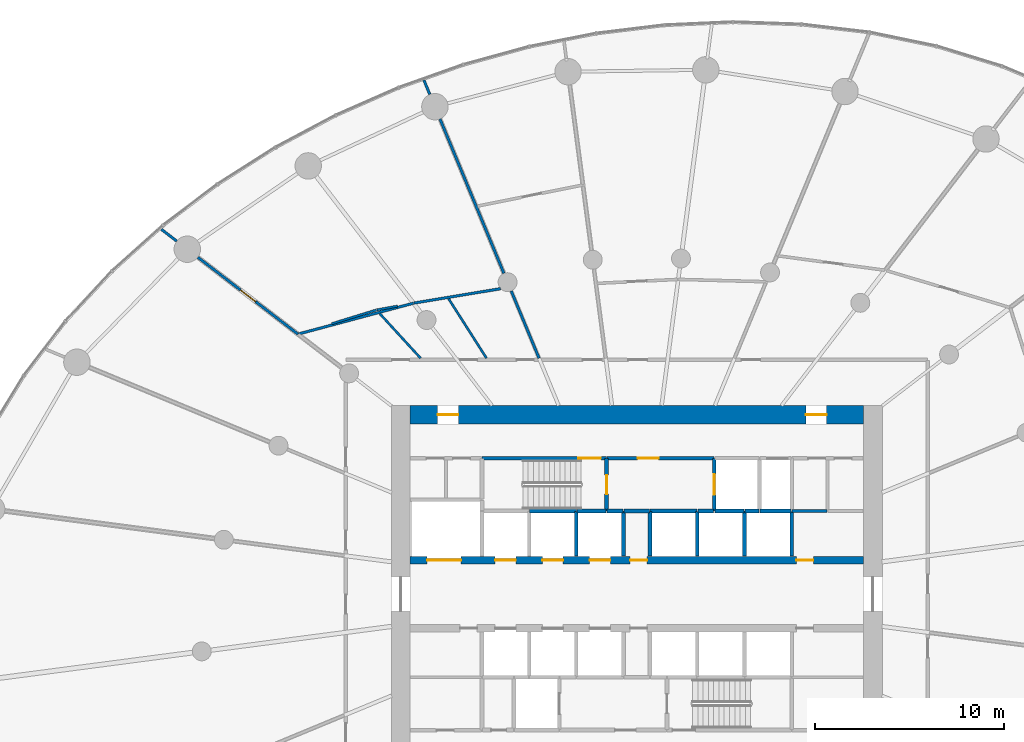
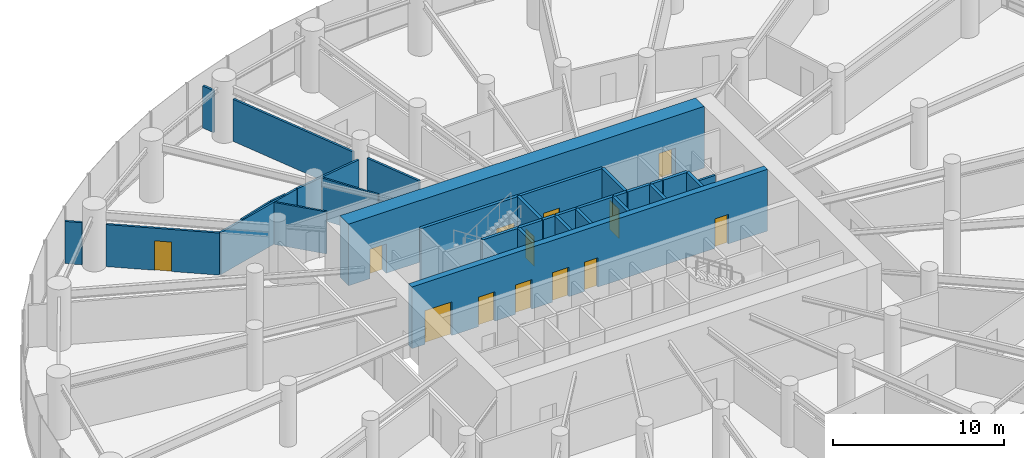
# One storey, part 13 of 18: 33 walls, 13 doors, 13 openings.
"""IFC4 building model written with IfcOpenShell, lengths in metres."""

from ifc_helpers import new_model, si_unit, direction, frame, frame_2d, origin, place, context, subcontext, project, spatial, rectangle, extrude, source, transform, mapped, material, layer, layer_set, type_object, element, fill, save


model = new_model("IFC4")

# Units and contexts
model_context = context("Model", 3, precision=1e-05, world=origin(), true_north=direction((0.0, 1.0)))
body_context = subcontext(model_context, "Body", "Model", "MODEL_VIEW")
ifc_project = project(units=[si_unit("LENGTHUNIT", "METRE"), si_unit("AREAUNIT", "SQUARE_METRE"), si_unit("VOLUMEUNIT", "CUBIC_METRE"), si_unit("PLANEANGLEUNIT", "RADIAN"), si_unit("MASSUNIT", "GRAM", prefix="KILO")], contexts=[model_context])

# Site, building, storey
site_placement = place(None, origin())
site = spatial("IfcSite", under=ifc_project, at=site_placement, CompositionType="ELEMENT")
building_placement = place(site_placement, origin())
building = spatial("IfcBuilding", under=site, at=building_placement, Name="Spindrift Exchange Tower", CompositionType="ELEMENT")
storey_placement = place(building_placement, frame((0.0, 0.0, 71.0)))
storey = spatial("IfcBuildingStorey", under=building, at=storey_placement, Name="L16", CompositionType="ELEMENT", Elevation=71.0)

# Wall, openings, doors
ifc_material_1 = material(Name="Concrete 80 MPa", Category="concrete")
ifc_layer_1 = layer(ifc_material_1, 1.0)
ifc_layer_set_1 = layer_set([ifc_layer_1], Name="RC Core Wall 1000 Concrete 80 MPa")
wall_type_1 = type_object("IfcWallType", Name="RC Core Wall 1000 Concrete 80 MPa", PredefinedType="SHEAR", material=ifc_layer_set_1)
wall_1_placement = place(storey_placement, frame((64.0, 57.5, 0.0), z_axis=(0.0, 0.0, 1.0), x_axis=(-1.0, 0.0, 0.0)))
wall_1 = element("IfcWall", 1, at=wall_1_placement, inside=storey, type_object=wall_type_1, Name="Core wall N L16", PredefinedType="SHEAR", context=body_context, shape_type="SweptSolid", body=[
    extrude(rectangle(XDim=24.0, YDim=1.0, at=frame_2d((12.0, 0.0))), origin(), (0.0, 0.0, 1.0), 4.39990234375),
])
opening_1_placement = place(wall_1_placement, frame((21.449951171875, 0.0, 0.0)))
opening_1 = element("IfcOpeningElement", 2, at=opening_1_placement, cuts=wall_1, Name="Opening L16-D20", PredefinedType="OPENING", context=body_context, shape_type="SweptSolid", body=[
    extrude(rectangle(XDim=1.10009765625, YDim=2.10009765625, at=frame_2d((0.550048828125, 1.050048828125))), frame((0.0, 0.510009765625, 0.0), z_axis=(0.0, -1.0, 0.0), x_axis=(1.0, 0.0, 0.0)), (0.0, 0.0, 1.0), 1.02001953125),
])
opening_2_placement = place(wall_1_placement, frame((1.949951171875, 0.0, 0.0)))
opening_2 = element("IfcOpeningElement", 3, at=opening_2_placement, cuts=wall_1, Name="Opening L16-D21", PredefinedType="OPENING", context=body_context, shape_type="SweptSolid", body=[
    extrude(rectangle(XDim=1.10009765625, YDim=2.10009765625, at=frame_2d((0.550048828125, 1.050048828125))), frame((0.0, 0.510009765625, 0.0), z_axis=(0.0, -1.0, 0.0), x_axis=(1.0, 0.0, 0.0)), (0.0, 0.0, 1.0), 1.02001953125),
])
ifc_material_2 = material(Name="Steel fire door", Category="steel")
door_type_1 = type_object("IfcDoorType", Name="DR-STAIR-1100", OperationType="NOTDEFINED", PredefinedType="DOOR", material=ifc_material_2)
shared_shape_1 = source(origin(), body_context, "Body", "SweptSolid", [
    extrude(rectangle(XDim=1.10009765625, YDim=2.10009765625, at=frame_2d((0.550048828125, 1.050048828125))), frame((0.0, 0.02490234375, 0.0), z_axis=(0.0, -1.0, 0.0), x_axis=(1.0, 0.0, 0.0)), (0.0, 0.0, 1.0), 0.050048828125),
])
door_1_placement = place(opening_1_placement, origin())
door_1 = element("IfcDoor", 4, at=door_1_placement, inside=storey, type_object=door_type_1, Name="L16 Stair door 20", OperationType="SINGLE_SWING_RIGHT", OverallHeight=2.10009765625, OverallWidth=1.10009765625, PredefinedType="DOOR", context=body_context, shape_type="MappedRepresentation", body=[
    mapped(shared_shape_1, transform((0.0, 0.0, 0.0), scale=1.0)),
])
fill(opening_1, door_1)
door_2_placement = place(opening_2_placement, origin())
door_2 = element("IfcDoor", 5, at=door_2_placement, inside=storey, type_object=door_type_1, Name="L16 Stair door 21", OperationType="SINGLE_SWING_LEFT", OverallHeight=2.10009765625, OverallWidth=1.10009765625, PredefinedType="DOOR", context=body_context, shape_type="MappedRepresentation", body=[
    mapped(shared_shape_1, transform((0.0, 0.0, 0.0), scale=1.0)),
])
fill(opening_2, door_2)

ifc_layer_2 = layer(ifc_material_1, 0.39990234375)
ifc_layer_set_2 = layer_set([ifc_layer_2], Name="RC Spine Wall 400 Concrete 80 MPa")
wall_type_2 = type_object("IfcWallType", Name="RC Spine Wall 400 Concrete 80 MPa", PredefinedType="SHEAR", material=ifc_layer_set_2)
wall_2_placement = place(storey_placement, frame((40.0, 49.800048828125, 0.0), z_axis=(0.0, 0.0, 1.0), x_axis=(1.0, 0.0, 0.0)))
wall_2 = element("IfcWall", 6, at=wall_2_placement, inside=storey, type_object=wall_type_2, Name="Core spine wall N L16", PredefinedType="SHEAR", context=body_context, shape_type="SweptSolid", body=[
    extrude(rectangle(XDim=24.0, YDim=0.39990234375, at=frame_2d((12.0, 0.0))), origin(), (0.0, 0.0, 1.0), 4.39990234375),
])
opening_3_placement = place(wall_2_placement, frame((4.5, 0.0, 0.0)))
opening_3 = element("IfcOpeningElement", 7, at=opening_3_placement, cuts=wall_2, Name="Opening L16-D3", PredefinedType="OPENING", context=body_context, shape_type="SweptSolid", body=[
    extrude(rectangle(XDim=1.10009765625, YDim=2.10009765625, at=frame_2d((0.550048828125, 1.050048828125))), frame((0.0, 0.2099609375, 0.0), z_axis=(0.0, -1.0, 0.0), x_axis=(1.0, 0.0, 0.0)), (0.0, 0.0, 1.0), 0.419921875),
])
opening_4_placement = place(wall_2_placement, frame((7.0, 0.0, 0.0)))
opening_4 = element("IfcOpeningElement", 8, at=opening_4_placement, cuts=wall_2, Name="Opening L16-D4", PredefinedType="OPENING", context=body_context, shape_type="SweptSolid", body=[
    extrude(rectangle(XDim=1.10009765625, YDim=2.10009765625, at=frame_2d((0.550048828125, 1.050048828125))), frame((0.0, 0.2099609375, 0.0), z_axis=(0.0, -1.0, 0.0), x_axis=(1.0, 0.0, 0.0)), (0.0, 0.0, 1.0), 0.419921875),
])
opening_5_placement = place(wall_2_placement, frame((9.5, 0.0, 0.0)))
opening_5 = element("IfcOpeningElement", 9, at=opening_5_placement, cuts=wall_2, Name="Opening L16-D5", PredefinedType="OPENING", context=body_context, shape_type="SweptSolid", body=[
    extrude(rectangle(XDim=1.10009765625, YDim=2.10009765625, at=frame_2d((0.550048828125, 1.050048828125))), frame((0.0, 0.2099609375, 0.0), z_axis=(0.0, -1.0, 0.0), x_axis=(1.0, 0.0, 0.0)), (0.0, 0.0, 1.0), 0.419921875),
])
opening_6_placement = place(wall_2_placement, frame((0.89990234375, 0.0, 0.0)))
opening_6 = element("IfcOpeningElement", 10, at=opening_6_placement, cuts=wall_2, Name="Opening L16-D12", PredefinedType="OPENING", context=body_context, shape_type="SweptSolid", body=[
    extrude(rectangle(XDim=1.800048828125, YDim=2.39990234375, at=frame_2d((0.89990234375, 1.199951171875))), frame((0.0, 0.2099609375, 0.0), z_axis=(0.0, -1.0, 0.0), x_axis=(1.0, 0.0, 0.0)), (0.0, 0.0, 1.0), 0.419921875),
])
opening_7_placement = place(wall_2_placement, frame((20.449951171875, 0.0, 0.0)))
opening_7 = element("IfcOpeningElement", 11, at=opening_7_placement, cuts=wall_2, Name="Opening L16-D51", PredefinedType="OPENING", context=body_context, shape_type="SweptSolid", body=[
    extrude(rectangle(XDim=0.89990234375, YDim=2.10009765625, at=frame_2d((0.449951171875, 1.050048828125))), frame((0.0, 0.2099609375, 0.0), z_axis=(0.0, -1.0, 0.0), x_axis=(1.0, 0.0, 0.0)), (0.0, 0.0, 1.0), 0.419921875),
])
opening_8_placement = place(wall_2_placement, frame((11.64990234375, 0.0, 0.0)))
opening_8 = element("IfcOpeningElement", 12, at=opening_8_placement, cuts=wall_2, Name="Opening L16-D56", PredefinedType="OPENING", context=body_context, shape_type="SweptSolid", body=[
    extrude(rectangle(XDim=0.89990234375, YDim=2.10009765625, at=frame_2d((0.449951171875, 1.050048828125))), frame((0.0, 0.2099609375, 0.0), z_axis=(0.0, -1.0, 0.0), x_axis=(1.0, 0.0, 0.0)), (0.0, 0.0, 1.0), 0.419921875),
])
ifc_material_3 = material(Name="Stainless steel landing door", Category="steel")
door_type_2 = type_object("IfcDoorType", Name="DR-LANDING-1100-SL", OperationType="DOUBLE_DOOR_SLIDING", PredefinedType="USERDEFINED", material=ifc_material_3)
shared_shape_2 = source(origin(), body_context, "Body", "SweptSolid", [
    extrude(rectangle(XDim=1.10009765625, YDim=2.10009765625, at=frame_2d((0.550048828125, 1.050048828125))), frame((0.0, 0.02490234375, 0.0), z_axis=(0.0, -1.0, 0.0), x_axis=(1.0, 0.0, 0.0)), (0.0, 0.0, 1.0), 0.050048828125),
])
door_3_placement = place(opening_3_placement, origin())
door_3 = element("IfcDoor", 13, at=door_3_placement, inside=storey, type_object=door_type_2, Name="L16 Lift landing door 3", ObjectType="LANDING DOOR", OperationType="DOUBLE_DOOR_SLIDING", OverallHeight=2.10009765625, OverallWidth=1.10009765625, PredefinedType="USERDEFINED", context=body_context, shape_type="MappedRepresentation", body=[
    mapped(shared_shape_2, transform((0.0, 0.0, 0.0), scale=1.0)),
])
fill(opening_3, door_3)
door_4_placement = place(opening_4_placement, origin())
door_4 = element("IfcDoor", 14, at=door_4_placement, inside=storey, type_object=door_type_2, Name="L16 Lift landing door 4", ObjectType="LANDING DOOR", OperationType="DOUBLE_DOOR_SLIDING", OverallHeight=2.10009765625, OverallWidth=1.10009765625, PredefinedType="USERDEFINED", context=body_context, shape_type="MappedRepresentation", body=[
    mapped(shared_shape_2, transform((0.0, 0.0, 0.0), scale=1.0)),
])
fill(opening_4, door_4)
door_5_placement = place(opening_5_placement, origin())
door_5 = element("IfcDoor", 15, at=door_5_placement, inside=storey, type_object=door_type_2, Name="L16 Lift landing door 5", ObjectType="LANDING DOOR", OperationType="DOUBLE_DOOR_SLIDING", OverallHeight=2.10009765625, OverallWidth=1.10009765625, PredefinedType="USERDEFINED", context=body_context, shape_type="MappedRepresentation", body=[
    mapped(shared_shape_2, transform((0.0, 0.0, 0.0), scale=1.0)),
])
fill(opening_5, door_5)
door_type_3 = type_object("IfcDoorType", Name="DR-LANDING-1800-SL", OperationType="DOUBLE_DOOR_SLIDING", PredefinedType="USERDEFINED", material=ifc_material_3)
shared_shape_3 = source(origin(), body_context, "Body", "SweptSolid", [
    extrude(rectangle(XDim=1.800048828125, YDim=2.39990234375, at=frame_2d((0.89990234375, 1.199951171875))), frame((0.0, 0.02490234375, 0.0), z_axis=(0.0, -1.0, 0.0), x_axis=(1.0, 0.0, 0.0)), (0.0, 0.0, 1.0), 0.050048828125),
])
door_6_placement = place(opening_6_placement, origin())
door_6 = element("IfcDoor", 16, at=door_6_placement, inside=storey, type_object=door_type_3, Name="L16 Lift landing door 12", ObjectType="LANDING DOOR", OperationType="DOUBLE_DOOR_SLIDING", OverallHeight=2.39990234375, OverallWidth=1.800048828125, PredefinedType="USERDEFINED", context=body_context, shape_type="MappedRepresentation", body=[
    mapped(shared_shape_3, transform((0.0, 0.0, 0.0), scale=1.0)),
])
fill(opening_6, door_6)
ifc_material_4 = material(Name="Steel access door", Category="steel")
door_type_4 = type_object("IfcDoorType", Name="DR-RISER-900", OperationType="NOTDEFINED", PredefinedType="DOOR", material=ifc_material_4)
shared_shape_4 = source(origin(), body_context, "Body", "SweptSolid", [
    extrude(rectangle(XDim=0.89990234375, YDim=2.10009765625, at=frame_2d((0.449951171875, 1.050048828125))), frame((0.0, 0.02490234375, 0.0), z_axis=(0.0, -1.0, 0.0), x_axis=(1.0, 0.0, 0.0)), (0.0, 0.0, 1.0), 0.050048828125),
])
door_7_placement = place(opening_7_placement, origin())
door_7 = element("IfcDoor", 17, at=door_7_placement, inside=storey, type_object=door_type_4, Name="L16 Riser door 51", OperationType="SINGLE_SWING_LEFT", OverallHeight=2.10009765625, OverallWidth=0.89990234375, PredefinedType="DOOR", context=body_context, shape_type="MappedRepresentation", body=[
    mapped(shared_shape_4, transform((0.0, 0.0, 0.0), scale=1.0)),
])
fill(opening_7, door_7)
door_8_placement = place(opening_8_placement, origin())
door_8 = element("IfcDoor", 18, at=door_8_placement, inside=storey, type_object=door_type_4, Name="L16 Riser door 56", OperationType="SINGLE_SWING_RIGHT", OverallHeight=2.10009765625, OverallWidth=0.89990234375, PredefinedType="DOOR", context=body_context, shape_type="MappedRepresentation", body=[
    mapped(shared_shape_4, transform((0.0, 0.0, 0.0), scale=1.0)),
])
fill(opening_8, door_8)

# Walls
ifc_material_5 = material(Name="Fire-rated plasterboard partition", Category="gypsum")
ifc_layer_3 = layer(ifc_material_5, 0.139892578125)
ifc_layer_set_3 = layer_set([ifc_layer_3], Name="W-PART-140")
wall_type_3 = type_object("IfcWallType", Name="W-PART-140", PredefinedType="PARTITIONING", material=ifc_layer_set_3)
wall_3_placement = place(storey_placement, frame((40.1787109375, 63.40576171875, 0.0), z_axis=(0.0, 0.0, 1.0), x_axis=(-0.965952889726, -0.258718021851, 0.0)))
element("IfcWall", 19, at=wall_3_placement, inside=storey, type_object=wall_type_3, Name="L16 Partition wall 82", PredefinedType="PARTITIONING", context=body_context, shape_type="SweptSolid", body=[
    extrude(rectangle(XDim=6.305419921875, YDim=0.139892578125, at=frame_2d((3.15283203125, 0.0))), origin(), (0.0, 0.0, 1.0), 3.0),
])
wall_4_placement = place(storey_placement, frame((44.790283203125, 64.172607421875, 0.0), z_axis=(0.0, 0.0, 1.0), x_axis=(-0.986452107545, -0.164049503258, 0.0)))
element("IfcWall", 20, at=wall_4_placement, inside=storey, type_object=wall_type_3, Name="L16 Partition wall 95", PredefinedType="PARTITIONING", context=body_context, shape_type="SweptSolid", body=[
    extrude(rectangle(XDim=4.644775390625, YDim=0.139892578125, at=frame_2d((2.322265625, 0.0))), origin(), (0.0, 0.0, 1.0), 3.0),
])
wall_5_placement = place(storey_placement, frame((62.070068359375, 52.39990234375, 0.0), z_axis=(0.0, 0.0, 1.0), x_axis=(-1.0, 0.0, 0.0)))
element("IfcWall", 21, at=wall_5_placement, inside=storey, type_object=wall_type_3, Name="L16 Partition wall 114", PredefinedType="PARTITIONING", context=body_context, shape_type="SweptSolid", body=[
    extrude(rectangle(XDim=1.840087890625, YDim=0.139892578125, at=frame_2d((0.919921875, 0.0))), origin(), (0.0, 0.0, 1.0), 3.0),
])
wall_6_placement = place(storey_placement, frame((41.039794921875, 74.4599609375, 0.0), z_axis=(0.0, 0.0, 1.0), x_axis=(-0.382641988431, 0.923896698062, 0.0)))
element("IfcWall", 22, at=wall_6_placement, inside=storey, type_object=wall_type_3, Name="L16 Partition wall 124", PredefinedType="PARTITIONING", context=body_context, shape_type="SweptSolid", body=[
    extrude(rectangle(XDim=0.8173828125, YDim=0.139892578125, at=frame_2d((0.40869140625, 0.0))), origin(), (0.0, 0.0, 1.0), 3.0),
])
ifc_layer_4 = layer(ifc_material_5, 0.139892578125)
ifc_layer_set_4 = layer_set([ifc_layer_4], Name="W-PLANT-140")
wall_type_4 = type_object("IfcWallType", Name="W-PLANT-140", PredefinedType="PARTITIONING", material=ifc_layer_set_4)
wall_7_placement = place(storey_placement, frame((44.965087890625, 64.984130859375, 0.0), z_axis=(0.0, 0.0, 1.0), x_axis=(-0.382692208588, 0.923875897232, 0.0)))
element("IfcWall", 23, at=wall_7_placement, inside=storey, type_object=wall_type_4, Name="L16 Partition wall 72", PredefinedType="PARTITIONING", context=body_context, shape_type="SweptSolid", body=[
    extrude(rectangle(XDim=8.846435546875, YDim=0.139892578125, at=frame_2d((4.42333984375, 0.0))), origin(), (0.0, 0.0, 1.0), 3.0),
])

# Wall, opening, door
wall_8_placement = place(storey_placement, frame((28.758056640625, 65.833984375, 0.0), z_axis=(0.0, 0.0, 1.0), x_axis=(0.793370473237, -0.608739100268, 0.0)))
wall_8 = element("IfcWall", 24, at=wall_8_placement, inside=storey, type_object=wall_type_4, Name="L16 Partition wall 79", PredefinedType="PARTITIONING", context=body_context, shape_type="SweptSolid", body=[
    extrude(rectangle(XDim=6.681640625, YDim=0.139892578125, at=frame_2d((3.3408203125, 0.0))), origin(), (0.0, 0.0, 1.0), 3.0),
])
opening_9_placement = place(wall_8_placement, frame((2.85009765625, 0.0, 0.0)))
opening_9 = element("IfcOpeningElement", 25, at=opening_9_placement, cuts=wall_8, Name="Opening L16-D28", PredefinedType="OPENING", context=body_context, shape_type="SweptSolid", body=[
    extrude(rectangle(XDim=1.0, YDim=2.10009765625, at=frame_2d((0.5, 1.050048828125))), frame((0.0, 0.079833984375, 0.0), z_axis=(0.0, -1.0, 0.0), x_axis=(1.0, 0.0, 0.0)), (0.0, 0.0, 1.0), 0.159912109375),
])
ifc_material_6 = material(Name="Timber-core fire door", Category="wood")
door_type_5 = type_object("IfcDoorType", Name="DR-ROOM-1000", OperationType="NOTDEFINED", PredefinedType="DOOR", material=ifc_material_6)
shared_shape_5 = source(origin(), body_context, "Body", "SweptSolid", [
    extrude(rectangle(XDim=1.0, YDim=2.10009765625, at=frame_2d((0.5, 1.050048828125))), frame((0.0, 0.02490234375, 0.0), z_axis=(0.0, -1.0, 0.0), x_axis=(1.0, 0.0, 0.0)), (0.0, 0.0, 1.0), 0.050048828125),
])
door_9_placement = place(opening_9_placement, origin())
door_9 = element("IfcDoor", 26, at=door_9_placement, inside=storey, type_object=door_type_5, Name="L16 Door 28", OperationType="SINGLE_SWING_RIGHT", OverallHeight=2.10009765625, OverallWidth=1.0, PredefinedType="DOOR", context=body_context, shape_type="MappedRepresentation", body=[
    mapped(shared_shape_5, transform((0.0, 0.0, 0.0), scale=1.0)),
])
fill(opening_9, door_9)

# Walls
wall_9_placement = place(storey_placement, frame((46.826416015625, 60.489990234375, 0.0), z_axis=(0.0, 0.0, 1.0), x_axis=(-0.382644558062, 0.923895633817, 0.0)))
element("IfcWall", 27, at=wall_9_placement, inside=storey, type_object=wall_type_4, Name="L16 Partition wall 99", PredefinedType="PARTITIONING", context=body_context, shape_type="SweptSolid", body=[
    extrude(rectangle(XDim=3.854248046875, YDim=0.139892578125, at=frame_2d((1.92724609375, 0.0))), origin(), (0.0, 0.0, 1.0), 3.0),
])
wall_10_placement = place(storey_placement, frame((27.640625, 66.69140625, 0.0), z_axis=(0.0, 0.0, 1.0), x_axis=(-0.793207707095, 0.608951174895, 0.0)))
element("IfcWall", 28, at=wall_10_placement, inside=storey, type_object=wall_type_4, Name="L16 Partition wall 119", PredefinedType="PARTITIONING", context=body_context, shape_type="SweptSolid", body=[
    extrude(rectangle(XDim=1.025634765625, YDim=0.139892578125, at=frame_2d((0.5126953125, 0.0))), origin(), (0.0, 0.0, 1.0), 3.0),
])

# Wall, opening, door
ifc_material_7 = material(Name="Concrete 40 MPa", Category="concrete")
ifc_layer_5 = layer(ifc_material_7, 0.199951171875)
ifc_layer_set_5 = layer_set([ifc_layer_5], Name="W-SHAFT-200")
wall_type_5 = type_object("IfcWallType", Name="W-SHAFT-200", PredefinedType="SOLIDWALL", material=ifc_layer_set_5)
wall_11_placement = place(storey_placement, frame((56.10009765625, 55.169921875, 0.0), z_axis=(0.0, 0.0, 1.0), x_axis=(0.0, -1.0, 0.0)))
wall_11 = element("IfcWall", 29, at=wall_11_placement, inside=storey, type_object=wall_type_5, Name="L16 Shaft wall 12", PredefinedType="SOLIDWALL", context=body_context, shape_type="SweptSolid", body=[
    extrude(rectangle(XDim=2.77001953125, YDim=0.199951171875, at=frame_2d((1.385009765625, 0.0))), origin(), (0.0, 0.0, 1.0), 3.89990234375),
])
opening_10_placement = place(wall_11_placement, frame((0.820068359375, 0.0, 0.0)))
opening_10 = element("IfcOpeningElement", 30, at=opening_10_placement, cuts=wall_11, Name="Opening L16-D9", PredefinedType="OPENING", context=body_context, shape_type="SweptSolid", body=[
    extrude(rectangle(XDim=1.10009765625, YDim=2.10009765625, at=frame_2d((0.550048828125, 1.050048828125))), frame((0.0, 0.10986328125, 0.0), z_axis=(0.0, -1.0, 0.0), x_axis=(1.0, 0.0, 0.0)), (0.0, 0.0, 1.0), 0.219970703125),
])
door_10_placement = place(opening_10_placement, origin())
door_10 = element("IfcDoor", 31, at=door_10_placement, inside=storey, type_object=door_type_2, Name="L16 Lift landing door 9", ObjectType="LANDING DOOR", OperationType="DOUBLE_DOOR_SLIDING", OverallHeight=2.10009765625, OverallWidth=1.10009765625, PredefinedType="USERDEFINED", context=body_context, shape_type="MappedRepresentation", body=[
    mapped(shared_shape_2, transform((0.0, 0.0, 0.0), scale=1.0)),
])
fill(opening_10, door_10)

# Walls
wall_12_placement = place(storey_placement, frame((55.199951171875, 52.39990234375, 0.0), z_axis=(0.0, 0.0, 1.0), x_axis=(-1.0, 0.0, 0.0)))
element("IfcWall", 32, at=wall_12_placement, inside=storey, type_object=wall_type_5, Name="L16 Shaft wall 18", PredefinedType="SOLIDWALL", context=body_context, shape_type="SweptSolid", body=[
    extrude(rectangle(XDim=2.5, YDim=0.199951171875, at=frame_2d((1.25, 0.0))), origin(), (0.0, 0.0, 1.0), 3.89990234375),
])
wall_13_placement = place(storey_placement, frame((51.300048828125, 50.010009765625, 0.0), z_axis=(0.0, 0.0, 1.0), x_axis=(0.0, 1.0, 0.0)))
element("IfcWall", 33, at=wall_13_placement, inside=storey, type_object=wall_type_5, Name="L16 Shaft wall 30", PredefinedType="SOLIDWALL", context=body_context, shape_type="SweptSolid", body=[
    extrude(rectangle(XDim=2.389892578125, YDim=0.199951171875, at=frame_2d((1.19482421875, 0.0))), origin(), (0.0, 0.0, 1.0), 3.89990234375),
])
for number, where, z_axis, x_axis, name in (
    (34, (52.699951171875, 52.3701171875, 0.0), (0.0, 0.0, 1.0), (0.0, -1.0, 0.0), "L16 Shaft wall 32"),
    (35, (55.199951171875, 50.010009765625, 0.0), (0.0, 0.0, 1.0), (0.0, 1.0, 0.0), "L16 Shaft wall 34"),
):
    element("IfcWall", number, at=place(storey_placement, frame(where, z_axis=z_axis, x_axis=x_axis)), inside=storey, type_object=wall_type_5, Name=name, PredefinedType="SOLIDWALL", context=body_context, shape_type="SweptSolid", body=[
        extrude(rectangle(XDim=2.360107421875, YDim=0.199951171875, at=frame_2d((1.18017578125, 0.0))), origin(), (0.0, 0.0, 1.0), 3.89990234375),
    ])
wall_14_placement = place(storey_placement, frame((57.699951171875, 50.010009765625, 0.0), z_axis=(0.0, 0.0, 1.0), x_axis=(0.0, 1.0, 0.0)))
element("IfcWall", 36, at=wall_14_placement, inside=storey, type_object=wall_type_5, Name="L16 Shaft wall 36", PredefinedType="SOLIDWALL", context=body_context, shape_type="SweptSolid", body=[
    extrude(rectangle(XDim=2.389892578125, YDim=0.199951171875, at=frame_2d((1.19482421875, 0.0))), origin(), (0.0, 0.0, 1.0), 3.89990234375),
])
wall_15_placement = place(storey_placement, frame((60.199951171875, 50.010009765625, 0.0), z_axis=(0.0, 0.0, 1.0), x_axis=(0.0, 1.0, 0.0)))
element("IfcWall", 37, at=wall_15_placement, inside=storey, type_object=wall_type_5, Name="L16 Shaft wall 38", PredefinedType="SOLIDWALL", context=body_context, shape_type="SweptSolid", body=[
    extrude(rectangle(XDim=2.360107421875, YDim=0.199951171875, at=frame_2d((1.18017578125, 0.0))), origin(), (0.0, 0.0, 1.0), 3.89990234375),
])
wall_16_placement = place(storey_placement, frame((60.169921875, 52.39990234375, 0.0), z_axis=(0.0, 0.0, 1.0), x_axis=(-1.0, 0.0, 0.0)))
element("IfcWall", 38, at=wall_16_placement, inside=storey, type_object=wall_type_5, Name="L16 Shaft wall 42", PredefinedType="SOLIDWALL", context=body_context, shape_type="SweptSolid", body=[
    extrude(rectangle(XDim=1.639892578125, YDim=0.199951171875, at=frame_2d((0.81982421875, 0.0))), origin(), (0.0, 0.0, 1.0), 3.89990234375),
])
wall_17_placement = place(storey_placement, frame((57.669921875, 52.39990234375, 0.0), z_axis=(0.0, 0.0, 1.0), x_axis=(-1.0, 0.0, 0.0)))
element("IfcWall", 39, at=wall_17_placement, inside=storey, type_object=wall_type_5, Name="L16 Shaft wall 47", PredefinedType="SOLIDWALL", context=body_context, shape_type="SweptSolid", body=[
    extrude(rectangle(XDim=1.5400390625, YDim=0.199951171875, at=frame_2d((0.77001953125, 0.0))), origin(), (0.0, 0.0, 1.0), 3.89990234375),
])
wall_18_placement = place(storey_placement, frame((51.330078125, 52.39990234375, 0.0), z_axis=(0.0, 0.0, 1.0), x_axis=(1.0, 0.0, 0.0)))
element("IfcWall", 40, at=wall_18_placement, inside=storey, type_object=wall_type_5, Name="L16 Shaft wall 49", PredefinedType="SOLIDWALL", context=body_context, shape_type="SweptSolid", body=[
    extrude(rectangle(XDim=1.33984375, YDim=0.199951171875, at=frame_2d((0.669921875, 0.0))), origin(), (0.0, 0.0, 1.0), 3.89990234375),
])
wall_19_placement = place(storey_placement, frame((56.070068359375, 52.39990234375, 0.0), z_axis=(0.0, 0.0, 1.0), x_axis=(-1.0, 0.0, 0.0)))
element("IfcWall", 41, at=wall_19_placement, inside=storey, type_object=wall_type_5, Name="L16 Shaft wall 53", PredefinedType="SOLIDWALL", context=body_context, shape_type="SweptSolid", body=[
    extrude(rectangle(XDim=0.840087890625, YDim=0.199951171875, at=frame_2d((0.419921875, 0.0))), origin(), (0.0, 0.0, 1.0), 3.89990234375),
])
wall_20_placement = place(storey_placement, frame((58.469970703125, 52.39990234375, 0.0), z_axis=(0.0, 0.0, 1.0), x_axis=(-1.0, 0.0, 0.0)))
element("IfcWall", 42, at=wall_20_placement, inside=storey, type_object=wall_type_5, Name="L16 Shaft wall 55", PredefinedType="SOLIDWALL", context=body_context, shape_type="SweptSolid", body=[
    extrude(rectangle(XDim=0.739990234375, YDim=0.199951171875, at=frame_2d((0.3701171875, 0.0))), origin(), (0.0, 0.0, 1.0), 3.89990234375),
])

# Wall, opening, door
ifc_layer_6 = layer(ifc_material_7, 0.199951171875)
ifc_layer_set_6 = layer_set([ifc_layer_6], Name="W-SHAFT-200-LB")
wall_type_6 = type_object("IfcWallType", Name="W-SHAFT-200-LB", PredefinedType="SOLIDWALL", material=ifc_layer_set_6)
wall_21_placement = place(storey_placement, frame((50.39990234375, 55.199951171875, 0.0), z_axis=(0.0, 0.0, 1.0), x_axis=(-1.0, 0.0, 0.0)))
wall_21 = element("IfcWall", 43, at=wall_21_placement, inside=storey, type_object=wall_type_6, Name="L16 Shaft wall 1", PredefinedType="SOLIDWALL", context=body_context, shape_type="SweptSolid", body=[
    extrude(rectangle(XDim=6.599853515625, YDim=0.199951171875, at=frame_2d((3.2998046875, 0.0))), origin(), (0.0, 0.0, 1.0), 3.89990234375),
])
opening_11_placement = place(wall_21_placement, frame((0.300048828125, 0.0, 0.0)))
opening_11 = element("IfcOpeningElement", 44, at=opening_11_placement, cuts=wall_21, Name="Opening L16-D13", PredefinedType="OPENING", context=body_context, shape_type="SweptSolid", body=[
    extrude(rectangle(XDim=1.199951171875, YDim=2.10009765625, at=frame_2d((0.60009765625, 1.050048828125))), frame((0.0, 0.10986328125, 0.0), z_axis=(0.0, -1.0, 0.0), x_axis=(1.0, 0.0, 0.0)), (0.0, 0.0, 1.0), 0.219970703125),
])
door_type_6 = type_object("IfcDoorType", Name="DR-STAIR-1200", OperationType="NOTDEFINED", PredefinedType="DOOR", material=ifc_material_2)
shared_shape_6 = source(origin(), body_context, "Body", "SweptSolid", [
    extrude(rectangle(XDim=1.199951171875, YDim=2.10009765625, at=frame_2d((0.60009765625, 1.050048828125))), frame((0.0, 0.02490234375, 0.0), z_axis=(0.0, -1.0, 0.0), x_axis=(1.0, 0.0, 0.0)), (0.0, 0.0, 1.0), 0.050048828125),
])
door_11_placement = place(opening_11_placement, origin())
door_11 = element("IfcDoor", 45, at=door_11_placement, inside=storey, type_object=door_type_6, Name="L16 Stair door 13", OperationType="SINGLE_SWING_LEFT", OverallHeight=2.10009765625, OverallWidth=1.199951171875, PredefinedType="DOOR", context=body_context, shape_type="MappedRepresentation", body=[
    mapped(shared_shape_6, transform((0.0, 0.0, 0.0), scale=1.0)),
])
fill(opening_11, door_11)

wall_22_placement = place(storey_placement, frame((56.10009765625, 55.199951171875, 0.0), z_axis=(0.0, 0.0, 1.0), x_axis=(-1.0, 0.0, 0.0)))
wall_22 = element("IfcWall", 46, at=wall_22_placement, inside=storey, type_object=wall_type_6, Name="L16 Shaft wall 4", PredefinedType="SOLIDWALL", context=body_context, shape_type="SweptSolid", body=[
    extrude(rectangle(XDim=5.670166015625, YDim=0.199951171875, at=frame_2d((2.8349609375, 0.0))), origin(), (0.0, 0.0, 1.0), 3.89990234375),
])
opening_12_placement = place(wall_22_placement, frame((2.949951171875, 0.0, 0.0)))
opening_12 = element("IfcOpeningElement", 47, at=opening_12_placement, cuts=wall_22, Name="Opening L16-D15", PredefinedType="OPENING", context=body_context, shape_type="SweptSolid", body=[
    extrude(rectangle(XDim=1.10009765625, YDim=2.10009765625, at=frame_2d((0.550048828125, 1.050048828125))), frame((0.0, 0.10986328125, 0.0), z_axis=(0.0, -1.0, 0.0), x_axis=(1.0, 0.0, 0.0)), (0.0, 0.0, 1.0), 0.219970703125),
])
door_type_7 = type_object("IfcDoorType", Name="DR-LOBBY-1100", OperationType="NOTDEFINED", PredefinedType="DOOR", material=ifc_material_6)
shared_shape_7 = source(origin(), body_context, "Body", "SweptSolid", [
    extrude(rectangle(XDim=1.10009765625, YDim=2.10009765625, at=frame_2d((0.550048828125, 1.050048828125))), frame((0.0, 0.02490234375, 0.0), z_axis=(0.0, -1.0, 0.0), x_axis=(1.0, 0.0, 0.0)), (0.0, 0.0, 1.0), 0.050048828125),
])
door_12_placement = place(opening_12_placement, origin())
door_12 = element("IfcDoor", 48, at=door_12_placement, inside=storey, type_object=door_type_7, Name="L16 Lobby door 15", OperationType="SINGLE_SWING_LEFT", OverallHeight=2.10009765625, OverallWidth=1.10009765625, PredefinedType="DOOR", context=body_context, shape_type="MappedRepresentation", body=[
    mapped(shared_shape_7, transform((0.0, 0.0, 0.0), scale=1.0)),
])
fill(opening_12, door_12)

wall_23_placement = place(storey_placement, frame((50.39990234375, 52.39990234375, 0.0), z_axis=(0.0, 0.0, 1.0), x_axis=(0.0, 1.0, 0.0)))
wall_23 = element("IfcWall", 49, at=wall_23_placement, inside=storey, type_object=wall_type_6, Name="L16 Shaft wall 9", PredefinedType="SOLIDWALL", context=body_context, shape_type="SweptSolid", body=[
    extrude(rectangle(XDim=2.77001953125, YDim=0.199951171875, at=frame_2d((1.385009765625, 0.0))), origin(), (0.0, 0.0, 1.0), 3.89990234375),
])
opening_13_placement = place(wall_23_placement, frame((0.89990234375, 0.0, 0.0)))
opening_13 = element("IfcOpeningElement", 50, at=opening_13_placement, cuts=wall_23, Name="Opening L16-D14", PredefinedType="OPENING", context=body_context, shape_type="SweptSolid", body=[
    extrude(rectangle(XDim=1.0, YDim=2.10009765625, at=frame_2d((0.5, 1.050048828125))), frame((0.0, 0.10986328125, 0.0), z_axis=(0.0, -1.0, 0.0), x_axis=(1.0, 0.0, 0.0)), (0.0, 0.0, 1.0), 0.219970703125),
])
door_type_8 = type_object("IfcDoorType", Name="DR-STAIR-1000", OperationType="NOTDEFINED", PredefinedType="DOOR", material=ifc_material_2)
shared_shape_8 = source(origin(), body_context, "Body", "SweptSolid", [
    extrude(rectangle(XDim=1.0, YDim=2.10009765625, at=frame_2d((0.5, 1.050048828125))), frame((0.0, 0.02490234375, 0.0), z_axis=(0.0, -1.0, 0.0), x_axis=(1.0, 0.0, 0.0)), (0.0, 0.0, 1.0), 0.050048828125),
])
door_13_placement = place(opening_13_placement, origin())
door_13 = element("IfcDoor", 51, at=door_13_placement, inside=storey, type_object=door_type_8, Name="L16 Stair door 14", OperationType="SINGLE_SWING_RIGHT", OverallHeight=2.10009765625, OverallWidth=1.0, PredefinedType="DOOR", context=body_context, shape_type="MappedRepresentation", body=[
    mapped(shared_shape_8, transform((0.0, 0.0, 0.0), scale=1.0)),
])
fill(opening_13, door_13)

# Walls
wall_24_placement = place(storey_placement, frame((48.800048828125, 52.39990234375, 0.0), z_axis=(0.0, 0.0, 1.0), x_axis=(-1.0, 0.0, 0.0)))
element("IfcWall", 52, at=wall_24_placement, inside=storey, type_object=wall_type_6, Name="L16 Shaft wall 16", PredefinedType="SOLIDWALL", context=body_context, shape_type="SweptSolid", body=[
    extrude(rectangle(XDim=2.469970703125, YDim=0.199951171875, at=frame_2d((1.23486328125, 0.0))), origin(), (0.0, 0.0, 1.0), 3.89990234375),
])
wall_25_placement = place(storey_placement, frame((48.800048828125, 50.010009765625, 0.0), z_axis=(0.0, 0.0, 1.0), x_axis=(0.0, 1.0, 0.0)))
element("IfcWall", 53, at=wall_25_placement, inside=storey, type_object=wall_type_6, Name="L16 Shaft wall 28", PredefinedType="SOLIDWALL", context=body_context, shape_type="SweptSolid", body=[
    extrude(rectangle(XDim=2.360107421875, YDim=0.199951171875, at=frame_2d((1.18017578125, 0.0))), origin(), (0.0, 0.0, 1.0), 3.89990234375),
])
wall_26_placement = place(storey_placement, frame((50.3701171875, 52.39990234375, 0.0), z_axis=(0.0, 0.0, 1.0), x_axis=(-1.0, 0.0, 0.0)))
element("IfcWall", 54, at=wall_26_placement, inside=storey, type_object=wall_type_6, Name="L16 Shaft wall 45", PredefinedType="SOLIDWALL", context=body_context, shape_type="SweptSolid", body=[
    extrude(rectangle(XDim=1.5400390625, YDim=0.199951171875, at=frame_2d((0.77001953125, 0.0))), origin(), (0.0, 0.0, 1.0), 3.89990234375),
])
wall_27_placement = place(storey_placement, frame((51.27001953125, 52.39990234375, 0.0), z_axis=(0.0, 0.0, 1.0), x_axis=(-1.0, 0.0, 0.0)))
element("IfcWall", 55, at=wall_27_placement, inside=storey, type_object=wall_type_6, Name="L16 Shaft wall 51", PredefinedType="SOLIDWALL", context=body_context, shape_type="SweptSolid", body=[
    extrude(rectangle(XDim=0.840087890625, YDim=0.199951171875, at=frame_2d((0.419921875, 0.0))), origin(), (0.0, 0.0, 1.0), 3.89990234375),
])
ifc_layer_7 = layer(ifc_material_5, 0.1201171875)
ifc_layer_set_7 = layer_set([ifc_layer_7], Name="W-WET-120")
wall_type_7 = type_object("IfcWallType", Name="W-WET-120", PredefinedType="PARTITIONING", material=ifc_layer_set_7)
wall_28_placement = place(storey_placement, frame((38.2119140625, 63.047119140625, 0.0), z_axis=(0.0, 0.0, 1.0), x_axis=(-0.955599721478, -0.294667901731, 0.0)))
element("IfcWall", 56, at=wall_28_placement, inside=storey, type_object=wall_type_7, Name="L16 Partition wall 127", PredefinedType="PARTITIONING", context=body_context, shape_type="SweptSolid", body=[
    extrude(rectangle(XDim=2.4755859375, YDim=0.1201171875, at=frame_2d((1.23779296875, 0.0))), origin(), (0.0, 0.0, 1.0), 3.0),
])
wall_29_placement = place(storey_placement, frame((44.04296875, 60.489990234375, 0.0), z_axis=(0.0, 0.0, 1.0), x_axis=(-0.53728105283, 0.843403266694, 0.0)))
element("IfcWall", 57, at=wall_29_placement, inside=storey, type_object=wall_type_7, Name="L16 Partition wall 128", PredefinedType="PARTITIONING", context=body_context, shape_type="SweptSolid", body=[
    extrude(rectangle(XDim=3.73876953125, YDim=0.1201171875, at=frame_2d((1.869384765625, 0.0))), origin(), (0.0, 0.0, 1.0), 3.0),
])
wall_30_placement = place(storey_placement, frame((40.554931640625, 60.489990234375, 0.0), z_axis=(0.0, 0.0, 1.0), x_axis=(-0.675593584158, 0.737274242765, 0.0)))
element("IfcWall", 58, at=wall_30_placement, inside=storey, type_object=wall_type_7, Name="L16 Partition wall 129", PredefinedType="PARTITIONING", context=body_context, shape_type="SweptSolid", body=[
    extrude(rectangle(XDim=3.2060546875, YDim=0.1201171875, at=frame_2d((1.60302734375, 0.0))), origin(), (0.0, 0.0, 1.0), 3.0),
])
wall_31_placement = place(storey_placement, frame((39.332275390625, 63.25146484375, 0.0), z_axis=(0.0, 0.0, 1.0), x_axis=(-0.983774673589, -0.179408449088, 0.0)))
element("IfcWall", 59, at=wall_31_placement, inside=storey, type_object=wall_type_7, Name="L16 Partition wall 130", PredefinedType="PARTITIONING", context=body_context, shape_type="SweptSolid", body=[
    extrude(rectangle(XDim=1.109130859375, YDim=0.1201171875, at=frame_2d((0.5546875, 0.0))), origin(), (0.0, 0.0, 1.0), 3.0),
])

save(model, "model.ifc")
